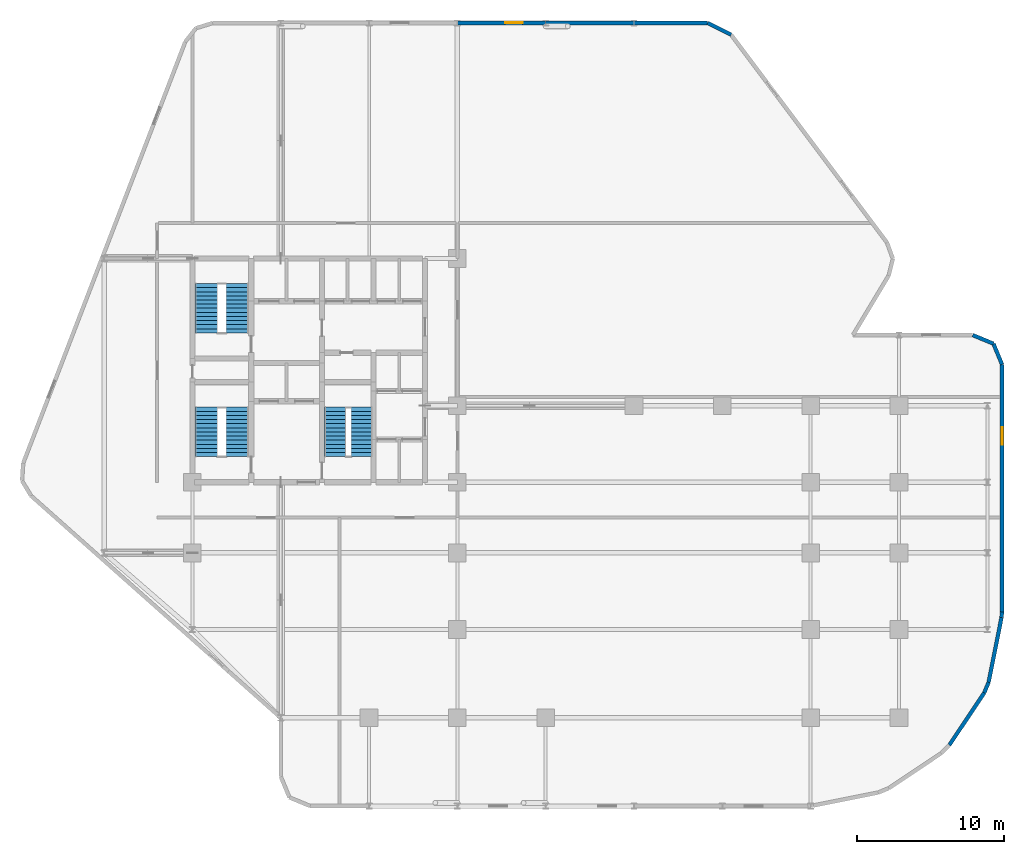
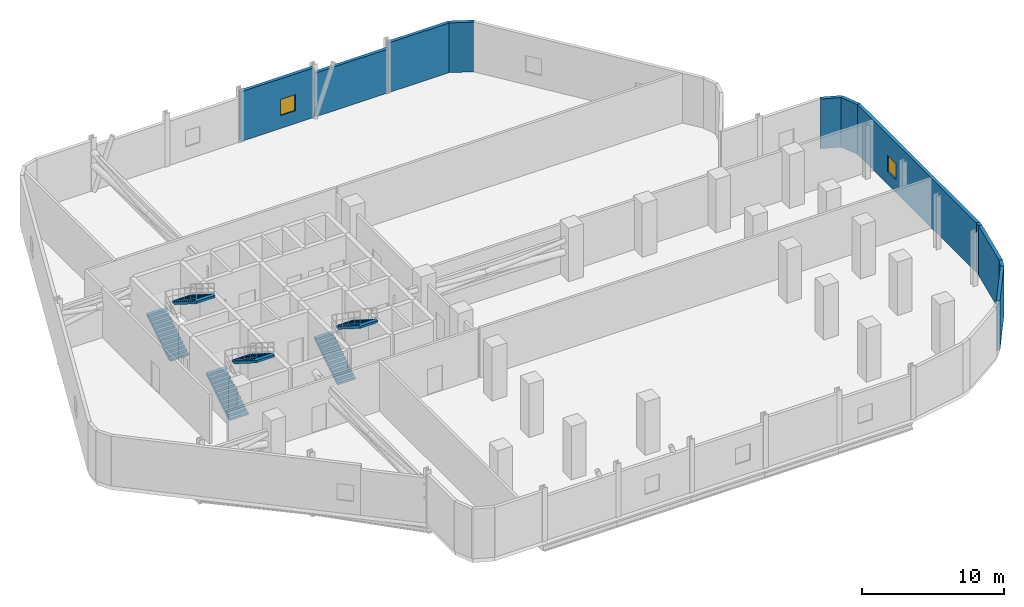
# One storey, part 8 of 9: 11 walls, 6 stair flights, 2 windows, 2 openings, 3 elements without a shape of their own.
"""IFC4 building model written with IfcOpenShell, lengths in metres."""

from ifc_helpers import new_model, si_unit, direction, frame, frame_2d, origin, place, context, subcontext, project, spatial, polyline, rectangle, outline, extrude, material, layer, layer_set, type_object, element, fill, aggregate, save


model = new_model("IFC4")

# Units and contexts
model_context = context("Model", 3, precision=1e-05, world=origin(), true_north=direction((0.0, 1.0)))
body_context = subcontext(model_context, "Body", "Model", "MODEL_VIEW")
ifc_project = project(units=[si_unit("LENGTHUNIT", "METRE"), si_unit("AREAUNIT", "SQUARE_METRE"), si_unit("VOLUMEUNIT", "CUBIC_METRE"), si_unit("PLANEANGLEUNIT", "RADIAN"), si_unit("MASSUNIT", "GRAM", prefix="KILO")], contexts=[model_context])

# Site, building, storey
site_placement = place(None, origin())
site = spatial("IfcSite", under=ifc_project, at=site_placement, CompositionType="ELEMENT")
building_placement = place(site_placement, origin())
building = spatial("IfcBuilding", under=site, at=building_placement, Name="Keshet Zoharim Tower", CompositionType="ELEMENT")
storey_placement = place(building_placement, frame((0.0, 0.0, 61.0)))
storey = spatial("IfcBuildingStorey", under=building, at=storey_placement, Name="L14", CompositionType="ELEMENT", Elevation=61.0)

# Walls
ifc_material_1 = material(Name="Concrete C50/60 precast", Category="concrete")
ifc_layer = layer(ifc_material_1, 0.260009765625)
ifc_layer_set = layer_set([ifc_layer], Name="Concrete C50/60 precast")
wall_type = type_object("IfcWallType", Name="WL-EXT-260", PredefinedType="STANDARD", material=ifc_layer_set)
wall_1_placement = place(storey_placement, frame((50.0, 53.89990234375, 0.0), z_axis=(0.0, 0.0, 1.0), x_axis=(0.894481775839, -0.447104409162, 0.0)))
element("IfcWall", 1, at=wall_1_placement, inside=storey, type_object=wall_type, Name="L14 Exterior Facade Wall 08", PredefinedType="STANDARD", context=body_context, shape_type="SweptSolid", body=[
    extrude(rectangle(XDim=1.788818359375, YDim=0.260009765625, at=frame_2d((0.89453125, 0.0))), origin(), (0.0, 0.0, 1.0), 4.280029296875),
])
for number, where, z_axis, x_axis, name in (
    (2, (68.0, 32.699951171875, 0.0), (0.0, 0.0, 1.0), (0.92383017907, -0.382802560388, 0.0), "L14 Exterior Facade Wall 14"),
    (3, (69.4140625, 32.114013671875, 0.0), (0.0, 0.0, 1.0), (0.382802560388, -0.92383017907, 0.0), "L14 Exterior Facade Wall 15"),
):
    element("IfcWall", number, at=place(storey_placement, frame(where, z_axis=z_axis, x_axis=x_axis)), inside=storey, type_object=wall_type, Name=name, PredefinedType="STANDARD", context=body_context, shape_type="SweptSolid", body=[
        extrude(rectangle(XDim=1.53076171875, YDim=0.260009765625, at=frame_2d((0.765380859375, 0.0))), origin(), (0.0, 0.0, 1.0), 4.280029296875),
    ])

# Wall, opening, window
wall_2_placement = place(storey_placement, frame((70.0, 30.699951171875, 0.0), z_axis=(0.0, 0.0, 1.0), x_axis=(0.0, -1.0, 0.0)))
wall_2 = element("IfcWall", 4, at=wall_2_placement, inside=storey, type_object=wall_type, Name="L14 Exterior Facade Wall 16", PredefinedType="STANDARD", context=body_context, shape_type="SweptSolid", body=[
    extrude(rectangle(XDim=16.802978515625, YDim=0.260009765625, at=frame_2d((8.4013671875, 0.0))), origin(), (0.0, 0.0, 1.0), 4.280029296875),
])
opening_1_placement = place(wall_2_placement, frame((4.2509765625, 0.0, 1.10009765625)))
opening_1 = element("IfcOpeningElement", 5, at=opening_1_placement, cuts=wall_2, Name="Opening W-120", PredefinedType="OPENING", context=body_context, shape_type="SweptSolid", body=[
    extrude(rectangle(XDim=1.199951171875, YDim=1.39990234375, at=frame_2d((0.60009765625, 0.699951171875))), frame((0.0, 0.14013671875, 0.0), z_axis=(0.0, -1.0, 0.0), x_axis=(1.0, 0.0, 0.0)), (0.0, 0.0, 1.0), 0.280029296875),
])
ifc_material_2 = material(Name="Insulated Low-E Clear Glass", Category="glass")
window_type = type_object("IfcWindowType", Name="WN-REF-120", PartitioningType="SINGLE_PANEL", PredefinedType="WINDOW", material=ifc_material_2)
window_1_placement = place(opening_1_placement, origin())
window_1 = element("IfcWindow", 6, at=window_1_placement, inside=storey, type_object=window_type, Name="L14 Refuge Smoke Window 09", OverallHeight=1.39990234375, OverallWidth=1.199951171875, PartitioningType="SINGLE_PANEL", PredefinedType="WINDOW", context=body_context, shape_type="SweptSolid", body=[
    extrude(rectangle(XDim=1.199951171875, YDim=1.39990234375, at=frame_2d((0.60009765625, 0.699951171875))), frame((0.0, 0.030029296875, 0.0), z_axis=(0.0, -1.0, 0.0), x_axis=(1.0, 0.0, 0.0)), (0.0, 0.0, 1.0), 0.06005859375),
])
fill(opening_1, window_1)

# Walls
wall_3_placement = place(storey_placement, frame((70.0, 13.89697265625, 0.0), z_axis=(0.0, 0.0, 1.0), x_axis=(-0.09722041859, -0.995262874928, 0.0)))
element("IfcWall", 7, at=wall_3_placement, inside=storey, type_object=wall_type, Name="L14 Exterior Facade Wall 17", PredefinedType="STANDARD", context=body_context, shape_type="SweptSolid", body=[
    extrude(rectangle(XDim=0.391845703125, YDim=0.260009765625, at=frame_2d((0.19580078125, 0.0))), origin(), (0.0, 0.0, 1.0), 4.280029296875),
])
wall_4_placement = place(storey_placement, frame((69.9619140625, 13.507080078125, 0.0), z_axis=(0.0, 0.0, 1.0), x_axis=(-0.195172473082, -0.980768935963, 0.0)))
element("IfcWall", 8, at=wall_4_placement, inside=storey, type_object=wall_type, Name="L14 Exterior Facade Wall 18", PredefinedType="STANDARD", context=body_context, shape_type="SweptSolid", body=[
    extrude(rectangle(XDim=4.478271484375, YDim=0.260009765625, at=frame_2d((2.2392578125, 0.0))), origin(), (0.0, 0.0, 1.0), 4.280029296875),
])
wall_5_placement = place(storey_placement, frame((69.087890625, 9.114990234375, 0.0), z_axis=(0.0, 0.0, 1.0), x_axis=(-0.382904338353, -0.923787999311, 0.0)))
element("IfcWall", 9, at=wall_5_placement, inside=storey, type_object=wall_type, Name="L14 Exterior Facade Wall 19", PredefinedType="STANDARD", context=body_context, shape_type="SweptSolid", body=[
    extrude(rectangle(XDim=0.780517578125, YDim=0.260009765625, at=frame_2d((0.39013671875, 0.0))), origin(), (0.0, 0.0, 1.0), 4.280029296875),
])
wall_6_placement = place(storey_placement, frame((68.7890625, 8.39404296875, 0.0), z_axis=(0.0, 0.0, 1.0), x_axis=(-0.555543000532, -0.831487807824, 0.0)))
element("IfcWall", 10, at=wall_6_placement, inside=storey, type_object=wall_type, Name="L14 Exterior Facade Wall 20", PredefinedType="STANDARD", context=body_context, shape_type="SweptSolid", body=[
    extrude(rectangle(XDim=4.27685546875, YDim=0.260009765625, at=frame_2d((2.138427734375, 0.0))), origin(), (0.0, 0.0, 1.0), 4.280029296875),
])

# Wall, opening, window
wall_7_placement = place(storey_placement, frame((33.0, 53.89990234375, 0.0), z_axis=(0.0, 0.0, 1.0), x_axis=(1.0, 0.0, 0.0)))
wall_7 = element("IfcWall", 11, at=wall_7_placement, inside=storey, type_object=wall_type, Name="L14 Exterior Facade Wall 07 Part 3", PredefinedType="STANDARD", context=body_context, shape_type="SweptSolid", body=[
    extrude(rectangle(XDim=6.0, YDim=0.260009765625, at=frame_2d((3.0, 0.0))), origin(), (0.0, 0.0, 1.0), 4.280029296875),
])
opening_2_placement = place(wall_7_placement, frame((3.239990234375, 0.0, 1.10009765625)))
opening_2 = element("IfcOpeningElement", 12, at=opening_2_placement, cuts=wall_7, Name="Opening W-120", PredefinedType="OPENING", context=body_context, shape_type="SweptSolid", body=[
    extrude(rectangle(XDim=1.199951171875, YDim=1.39990234375, at=frame_2d((0.60009765625, 0.699951171875))), frame((0.0, 0.14013671875, 0.0), z_axis=(0.0, -1.0, 0.0), x_axis=(1.0, 0.0, 0.0)), (0.0, 0.0, 1.0), 0.280029296875),
])
window_2_placement = place(opening_2_placement, origin())
window_2 = element("IfcWindow", 13, at=window_2_placement, inside=storey, type_object=window_type, Name="L14 Refuge Smoke Window 05", OverallHeight=1.39990234375, OverallWidth=1.199951171875, PartitioningType="SINGLE_PANEL", PredefinedType="WINDOW", context=body_context, shape_type="SweptSolid", body=[
    extrude(rectangle(XDim=1.199951171875, YDim=1.39990234375, at=frame_2d((0.60009765625, 0.699951171875))), frame((0.0, 0.030029296875, 0.0), z_axis=(0.0, -1.0, 0.0), x_axis=(1.0, 0.0, 0.0)), (0.0, 0.0, 1.0), 0.06005859375),
])
fill(opening_2, window_2)

# Walls
wall_8_placement = place(storey_placement, frame((39.0, 53.89990234375, 0.0), z_axis=(0.0, 0.0, 1.0), x_axis=(1.0, 0.0, 0.0)))
element("IfcWall", 14, at=wall_8_placement, inside=storey, type_object=wall_type, Name="L14 Exterior Facade Wall 07 Part 4", PredefinedType="STANDARD", context=body_context, shape_type="SweptSolid", body=[
    extrude(rectangle(XDim=6.0, YDim=0.260009765625, at=frame_2d((3.0, 0.0))), origin(), (0.0, 0.0, 1.0), 3.780029296875),
])
wall_9_placement = place(storey_placement, frame((45.0, 53.89990234375, 0.0), z_axis=(0.0, 0.0, 1.0), x_axis=(1.0, 0.0, 0.0)))
element("IfcWall", 15, at=wall_9_placement, inside=storey, type_object=wall_type, Name="L14 Exterior Facade Wall 07 Part 5", PredefinedType="STANDARD", context=body_context, shape_type="SweptSolid", body=[
    extrude(rectangle(XDim=5.0, YDim=0.260009765625, at=frame_2d((2.5, 0.0))), origin(), (0.0, 0.0, 1.0), 4.280029296875),
])

# Stair, stair flights
ifc_material_3 = material(Name="Concrete C50/60", Category="concrete")
stair_type = type_object("IfcStairType", Name="STR-EXIT-135", PredefinedType="HALF_TURN_STAIR", material=ifc_material_3)
stair_1_placement = place(storey_placement, origin())
stair_1 = element("IfcStair", 16, at=stair_1_placement, inside=storey, type_object=stair_type, Name="L14 Enclosed Exit Stair ST-01", PredefinedType="HALF_TURN_STAIR")
stair_flight_type_1 = type_object("IfcStairFlightType", Name="FLT-PRE-135", PredefinedType="STRAIGHT", material=ifc_material_3)
stair_flight_1_placement = place(storey_placement, frame((15.945068359375, 24.43994140625, 0.0), z_axis=(0.0, 0.0, 1.0), x_axis=(0.0, 1.0, 0.0)))
stair_flight_1 = element("IfcStairFlight", 17, at=stair_flight_1_placement, type_object=stair_flight_type_1, Name="ST-01 flight 1", NumberOfRisers=13, NumberOfTreads=12, PredefinedType="STRAIGHT", RiserHeight=0.176923, TreadLength=0.28, context=body_context, shape_type="SweptSolid", body=[
    extrude(outline(polyline([(0.0, 0.0), (0.0, 0.177001953125), (0.280029296875, 0.177001953125), (0.280029296875, 0.353759765625), (0.56005859375, 0.353759765625), (0.56005859375, 0.53076171875), (0.840087890625, 0.53076171875), (0.840087890625, 0.707763671875), (1.1201171875, 0.707763671875), (1.1201171875, 0.884521484375), (1.39990234375, 0.884521484375), (1.39990234375, 1.0615234375), (1.679931640625, 1.0615234375), (1.679931640625, 1.238525390625), (1.9599609375, 1.238525390625), (1.9599609375, 1.415283203125), (2.239990234375, 1.415283203125), (2.239990234375, 1.59228515625), (2.52001953125, 1.59228515625), (2.52001953125, 1.769287109375), (2.800048828125, 1.769287109375), (2.800048828125, 1.946044921875), (3.080078125, 1.946044921875), (3.080078125, 2.123046875), (3.360107421875, 2.123046875), (3.360107421875, 2.300048828125), (3.360107421875, 1.933837890625), (0.29931640625, 0.0), (0.0, 0.0)])), frame((0.0, 0.76513671875, 0.0), z_axis=(0.0, -1.0, 0.0), x_axis=(1.0, 0.0, 0.0)), (0.0, 0.0, 1.0), 1.530029296875),
])
stair_flight_2_placement = place(storey_placement, frame((18.054931640625, 27.800048828125, 2.300048828125), z_axis=(0.0, 0.0, 1.0), x_axis=(0.0, -1.0, 0.0)))
stair_flight_2 = element("IfcStairFlight", 18, at=stair_flight_2_placement, type_object=stair_flight_type_1, Name="ST-01 flight 2", NumberOfRisers=13, NumberOfTreads=12, PredefinedType="STRAIGHT", RiserHeight=0.176923, TreadLength=0.28, context=body_context, shape_type="SweptSolid", body=[
    extrude(outline(polyline([(0.0, 0.0), (0.0, 0.177001953125), (0.280029296875, 0.177001953125), (0.280029296875, 0.353759765625), (0.56005859375, 0.353759765625), (0.56005859375, 0.53076171875), (0.840087890625, 0.53076171875), (0.840087890625, 0.707763671875), (1.1201171875, 0.707763671875), (1.1201171875, 0.884521484375), (1.39990234375, 0.884521484375), (1.39990234375, 1.0615234375), (1.679931640625, 1.0615234375), (1.679931640625, 1.238525390625), (1.9599609375, 1.238525390625), (1.9599609375, 1.415283203125), (2.239990234375, 1.415283203125), (2.239990234375, 1.59228515625), (2.52001953125, 1.59228515625), (2.52001953125, 1.769287109375), (2.800048828125, 1.769287109375), (2.800048828125, 1.946044921875), (3.080078125, 1.946044921875), (3.080078125, 2.123046875), (3.360107421875, 2.123046875), (3.360107421875, 2.300048828125), (3.360107421875, 1.933837890625), (0.29931640625, 0.0), (0.0, 0.0)])), frame((0.0, 0.76513671875, 0.0), z_axis=(0.0, -1.0, 0.0), x_axis=(1.0, 0.0, 0.0)), (0.0, 0.0, 1.0), 1.530029296875),
])
aggregate(stair_1, [stair_flight_1, stair_flight_2])

stair_2_placement = place(storey_placement, origin())
stair_2 = element("IfcStair", 19, at=stair_2_placement, inside=storey, type_object=stair_type, Name="L14 Enclosed Exit Stair ST-02", PredefinedType="HALF_TURN_STAIR")
stair_flight_3_placement = place(storey_placement, frame((15.945068359375, 32.840087890625, 0.0), z_axis=(0.0, 0.0, 1.0), x_axis=(0.0, 1.0, 0.0)))
stair_flight_3 = element("IfcStairFlight", 20, at=stair_flight_3_placement, type_object=stair_flight_type_1, Name="ST-02 flight 1", NumberOfRisers=13, NumberOfTreads=12, PredefinedType="STRAIGHT", RiserHeight=0.176923, TreadLength=0.28, context=body_context, shape_type="SweptSolid", body=[
    extrude(outline(polyline([(0.0, 0.0), (0.0, 0.177001953125), (0.280029296875, 0.177001953125), (0.280029296875, 0.353759765625), (0.56005859375, 0.353759765625), (0.56005859375, 0.53076171875), (0.840087890625, 0.53076171875), (0.840087890625, 0.707763671875), (1.1201171875, 0.707763671875), (1.1201171875, 0.884521484375), (1.39990234375, 0.884521484375), (1.39990234375, 1.0615234375), (1.679931640625, 1.0615234375), (1.679931640625, 1.238525390625), (1.9599609375, 1.238525390625), (1.9599609375, 1.415283203125), (2.239990234375, 1.415283203125), (2.239990234375, 1.59228515625), (2.52001953125, 1.59228515625), (2.52001953125, 1.769287109375), (2.800048828125, 1.769287109375), (2.800048828125, 1.946044921875), (3.080078125, 1.946044921875), (3.080078125, 2.123046875), (3.360107421875, 2.123046875), (3.360107421875, 2.300048828125), (3.360107421875, 1.933837890625), (0.29931640625, 0.0), (0.0, 0.0)])), frame((0.0, 0.76513671875, 0.0), z_axis=(0.0, -1.0, 0.0), x_axis=(1.0, 0.0, 0.0)), (0.0, 0.0, 1.0), 1.530029296875),
])
stair_flight_4_placement = place(storey_placement, frame((18.054931640625, 36.199951171875, 2.300048828125), z_axis=(0.0, 0.0, 1.0), x_axis=(0.0, -1.0, 0.0)))
stair_flight_4 = element("IfcStairFlight", 21, at=stair_flight_4_placement, type_object=stair_flight_type_1, Name="ST-02 flight 2", NumberOfRisers=13, NumberOfTreads=12, PredefinedType="STRAIGHT", RiserHeight=0.176923, TreadLength=0.28, context=body_context, shape_type="SweptSolid", body=[
    extrude(outline(polyline([(0.0, 0.0), (0.0, 0.177001953125), (0.280029296875, 0.177001953125), (0.280029296875, 0.353759765625), (0.56005859375, 0.353759765625), (0.56005859375, 0.53076171875), (0.840087890625, 0.53076171875), (0.840087890625, 0.707763671875), (1.1201171875, 0.707763671875), (1.1201171875, 0.884521484375), (1.39990234375, 0.884521484375), (1.39990234375, 1.0615234375), (1.679931640625, 1.0615234375), (1.679931640625, 1.238525390625), (1.9599609375, 1.238525390625), (1.9599609375, 1.415283203125), (2.239990234375, 1.415283203125), (2.239990234375, 1.59228515625), (2.52001953125, 1.59228515625), (2.52001953125, 1.769287109375), (2.800048828125, 1.769287109375), (2.800048828125, 1.946044921875), (3.080078125, 1.946044921875), (3.080078125, 2.123046875), (3.360107421875, 2.123046875), (3.360107421875, 2.300048828125), (3.360107421875, 1.933837890625), (0.29931640625, 0.0), (0.0, 0.0)])), frame((0.0, 0.76513671875, 0.0), z_axis=(0.0, -1.0, 0.0), x_axis=(1.0, 0.0, 0.0)), (0.0, 0.0, 1.0), 1.530029296875),
])
aggregate(stair_2, [stair_flight_3, stair_flight_4])

stair_3_placement = place(storey_placement, origin())
stair_3 = element("IfcStair", 22, at=stair_3_placement, inside=storey, type_object=stair_type, Name="L14 Enclosed Exit Stair ST-03", PredefinedType="HALF_TURN_STAIR")
stair_flight_type_2 = type_object("IfcStairFlightType", Name="FLT-PRE-144", PredefinedType="STRAIGHT", material=ifc_material_3)
stair_flight_5_placement = place(storey_placement, frame((24.699951171875, 24.43994140625, 0.0), z_axis=(0.0, 0.0, 1.0), x_axis=(0.0, 1.0, 0.0)))
stair_flight_5 = element("IfcStairFlight", 23, at=stair_flight_5_placement, type_object=stair_flight_type_2, Name="ST-03 flight 1", NumberOfRisers=13, NumberOfTreads=12, PredefinedType="STRAIGHT", RiserHeight=0.176923, TreadLength=0.28, context=body_context, shape_type="SweptSolid", body=[
    extrude(outline(polyline([(0.0, 0.0), (0.0, 0.177001953125), (0.280029296875, 0.177001953125), (0.280029296875, 0.353759765625), (0.56005859375, 0.353759765625), (0.56005859375, 0.53076171875), (0.840087890625, 0.53076171875), (0.840087890625, 0.707763671875), (1.1201171875, 0.707763671875), (1.1201171875, 0.884521484375), (1.39990234375, 0.884521484375), (1.39990234375, 1.0615234375), (1.679931640625, 1.0615234375), (1.679931640625, 1.238525390625), (1.9599609375, 1.238525390625), (1.9599609375, 1.415283203125), (2.239990234375, 1.415283203125), (2.239990234375, 1.59228515625), (2.52001953125, 1.59228515625), (2.52001953125, 1.769287109375), (2.800048828125, 1.769287109375), (2.800048828125, 1.946044921875), (3.080078125, 1.946044921875), (3.080078125, 2.123046875), (3.360107421875, 2.123046875), (3.360107421875, 2.300048828125), (3.360107421875, 1.933837890625), (0.29931640625, 0.0), (0.0, 0.0)])), frame((0.0, 0.719970703125, 0.0), z_axis=(0.0, -1.0, 0.0), x_axis=(1.0, 0.0, 0.0)), (0.0, 0.0, 1.0), 1.43994140625),
])
stair_flight_6_placement = place(storey_placement, frame((26.5, 27.800048828125, 2.300048828125), z_axis=(0.0, 0.0, 1.0), x_axis=(0.0, -1.0, 0.0)))
stair_flight_6 = element("IfcStairFlight", 24, at=stair_flight_6_placement, type_object=stair_flight_type_2, Name="ST-03 flight 2", NumberOfRisers=13, NumberOfTreads=12, PredefinedType="STRAIGHT", RiserHeight=0.176923, TreadLength=0.28, context=body_context, shape_type="SweptSolid", body=[
    extrude(outline(polyline([(0.0, 0.0), (0.0, 0.177001953125), (0.280029296875, 0.177001953125), (0.280029296875, 0.353759765625), (0.56005859375, 0.353759765625), (0.56005859375, 0.53076171875), (0.840087890625, 0.53076171875), (0.840087890625, 0.707763671875), (1.1201171875, 0.707763671875), (1.1201171875, 0.884521484375), (1.39990234375, 0.884521484375), (1.39990234375, 1.0615234375), (1.679931640625, 1.0615234375), (1.679931640625, 1.238525390625), (1.9599609375, 1.238525390625), (1.9599609375, 1.415283203125), (2.239990234375, 1.415283203125), (2.239990234375, 1.59228515625), (2.52001953125, 1.59228515625), (2.52001953125, 1.769287109375), (2.800048828125, 1.769287109375), (2.800048828125, 1.946044921875), (3.080078125, 1.946044921875), (3.080078125, 2.123046875), (3.360107421875, 2.123046875), (3.360107421875, 2.300048828125), (3.360107421875, 1.933837890625), (0.29931640625, 0.0), (0.0, 0.0)])), frame((0.0, 0.719970703125, 0.0), z_axis=(0.0, -1.0, 0.0), x_axis=(1.0, 0.0, 0.0)), (0.0, 0.0, 1.0), 1.43994140625),
])
aggregate(stair_3, [stair_flight_5, stair_flight_6])

save(model, "model.ifc")
